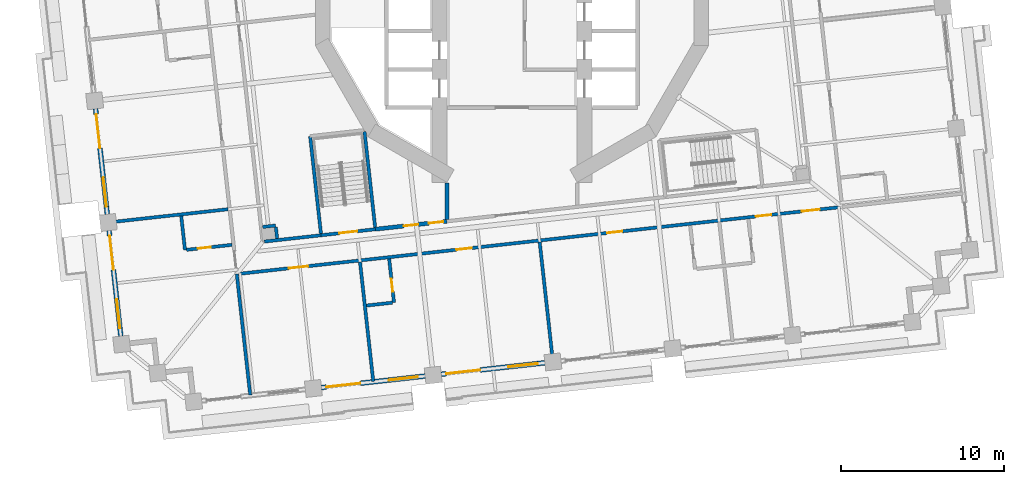
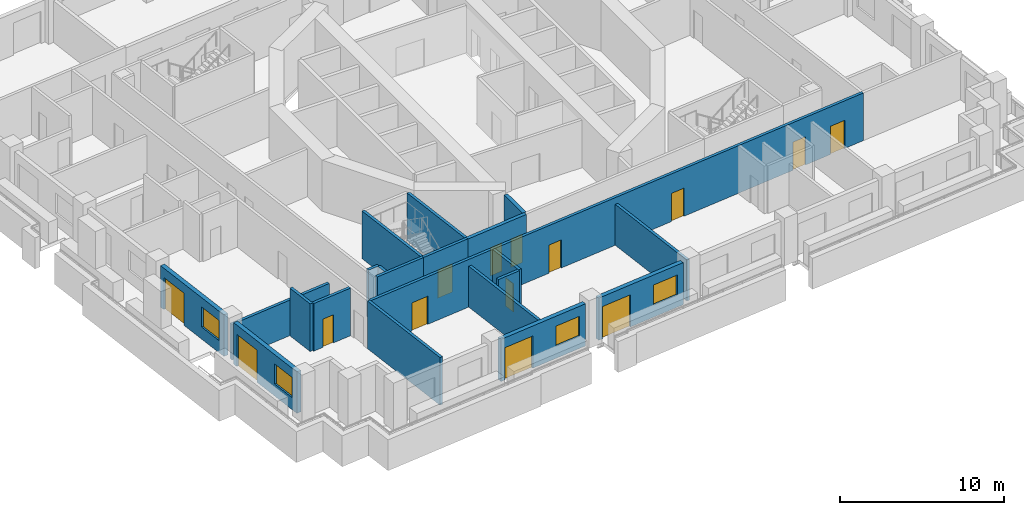
# One storey, part 4 of 19: 21 walls, 14 doors, 4 windows, 18 openings.
"""IFC4 building model written with IfcOpenShell, lengths in metres."""

from ifc_helpers import new_model, si_unit, direction, frame, frame_2d, origin, place, context, subcontext, project, spatial, rectangle, extrude, material, layer, layer_set, type_object, element, fill, save


model = new_model("IFC4")

# Units and contexts
model_context = context("Model", 3, precision=1e-05, world=origin(), true_north=direction((0.0, 1.0)))
body_context = subcontext(model_context, "Body", "Model", "MODEL_VIEW")
ifc_project = project(units=[si_unit("LENGTHUNIT", "METRE"), si_unit("AREAUNIT", "SQUARE_METRE"), si_unit("VOLUMEUNIT", "CUBIC_METRE"), si_unit("PLANEANGLEUNIT", "RADIAN"), si_unit("MASSUNIT", "GRAM", prefix="KILO")], contexts=[model_context])

# Site, building, storey
site_placement = place(None, origin())
site = spatial("IfcSite", under=ifc_project, at=site_placement, CompositionType="ELEMENT")
building_placement = place(site_placement, origin())
building = spatial("IfcBuilding", under=site, at=building_placement, Name="Cantera Rosa Tower", CompositionType="ELEMENT")
storey_placement = place(building_placement, frame((0.0, 0.0, 53.89990234375)))
storey = spatial("IfcBuildingStorey", under=building, at=storey_placement, Name="L10", CompositionType="ELEMENT", Elevation=53.89990234375)

# Wall, openings, doors
ifc_material_1 = material(Name="Gypsum board partition")
ifc_layer_1 = layer(ifc_material_1, 0.199951171875)
ifc_layer_set_1 = layer_set([ifc_layer_1], Name="CORRIDOR WALL 200 H3550")
wall_type_1 = type_object("IfcWallType", Name="CORRIDOR WALL 200 H3550", PredefinedType="PARTITIONING", material=ifc_layer_set_1)
wall_1_placement = place(storey_placement, frame((-16.798583984375, -17.25830078125, 0.0), z_axis=(0.0, 0.0, 1.0), x_axis=(0.993897376518, 0.110308680302, 0.0)))
wall_1 = element("IfcWall", 1, at=wall_1_placement, inside=storey, type_object=wall_type_1, Name="CORRIDOR WALL L10-020", PredefinedType="PARTITIONING", context=body_context, shape_type="SweptSolid", body=[
    extrude(rectangle(XDim=37.2998046875, YDim=0.199951171875, at=frame_2d((18.64990234375, 0.0))), origin(), (0.0, 0.0, 1.0), 3.550048828125),
])
opening_1_placement = place(wall_1_placement, frame((3.10009765625, 0.0, 0.0)))
opening_1 = element("IfcOpeningElement", 2, at=opening_1_placement, cuts=wall_1, Name="Opening L10-039", PredefinedType="OPENING", context=body_context, shape_type="SweptSolid", body=[
    extrude(rectangle(XDim=1.199951171875, YDim=2.10009765625, at=frame_2d((0.60009765625, 1.050048828125))), frame((0.0, 0.10986328125, 0.0), z_axis=(0.0, -1.0, 0.0), x_axis=(1.0, 0.0, 0.0)), (0.0, 0.0, 1.0), 0.219970703125),
])
opening_2_placement = place(wall_1_placement, frame((13.47509765625, 0.0, 0.0)))
opening_2 = element("IfcOpeningElement", 3, at=opening_2_placement, cuts=wall_1, Name="Opening L10-040", PredefinedType="OPENING", context=body_context, shape_type="SweptSolid", body=[
    extrude(rectangle(XDim=0.949951171875, YDim=2.10009765625, at=frame_2d((0.47509765625, 1.050048828125))), frame((0.0, 0.10986328125, 0.0), z_axis=(0.0, -1.0, 0.0), x_axis=(1.0, 0.0, 0.0)), (0.0, 0.0, 1.0), 0.219970703125),
])
opening_3_placement = place(wall_1_placement, frame((22.77490234375, 0.0, 0.0)))
opening_3 = element("IfcOpeningElement", 4, at=opening_3_placement, cuts=wall_1, Name="Opening L10-042", PredefinedType="OPENING", context=body_context, shape_type="SweptSolid", body=[
    extrude(rectangle(XDim=0.949951171875, YDim=2.10009765625, at=frame_2d((0.47509765625, 1.050048828125))), frame((0.0, 0.10986328125, 0.0), z_axis=(0.0, -1.0, 0.0), x_axis=(1.0, 0.0, 0.0)), (0.0, 0.0, 1.0), 0.219970703125),
])
opening_4_placement = place(wall_1_placement, frame((31.97509765625, 0.0, 0.0)))
opening_4 = element("IfcOpeningElement", 5, at=opening_4_placement, cuts=wall_1, Name="Opening L10-044", PredefinedType="OPENING", context=body_context, shape_type="SweptSolid", body=[
    extrude(rectangle(XDim=0.949951171875, YDim=2.10009765625, at=frame_2d((0.47509765625, 1.050048828125))), frame((0.0, 0.10986328125, 0.0), z_axis=(0.0, -1.0, 0.0), x_axis=(1.0, 0.0, 0.0)), (0.0, 0.0, 1.0), 0.219970703125),
])
opening_5_placement = place(wall_1_placement, frame((34.800048828125, 0.0, 0.0)))
opening_5 = element("IfcOpeningElement", 6, at=opening_5_placement, cuts=wall_1, Name="Opening L10-046", PredefinedType="OPENING", context=body_context, shape_type="SweptSolid", body=[
    extrude(rectangle(XDim=1.10009765625, YDim=2.10009765625, at=frame_2d((0.550048828125, 1.050048828125))), frame((0.0, 0.10986328125, 0.0), z_axis=(0.0, -1.0, 0.0), x_axis=(1.0, 0.0, 0.0)), (0.0, 0.0, 1.0), 0.219970703125),
])
ifc_material_2 = material(Name="Timber door leaf", Category="wood")
door_type_1 = type_object("IfcDoorType", Name="ROOM DOOR 1100x2100", OperationType="NOTDEFINED", PredefinedType="DOOR", material=ifc_material_2)
door_1_placement = place(opening_5_placement, origin())
door_1 = element("IfcDoor", 7, at=door_1_placement, inside=storey, type_object=door_type_1, Name="DOOR L10-046", OperationType="NOTDEFINED", OverallHeight=2.10009765625, OverallWidth=1.10009765625, PredefinedType="DOOR", context=body_context, shape_type="SweptSolid", body=[
    extrude(rectangle(XDim=1.10009765625, YDim=2.10009765625, at=frame_2d((0.550048828125, 1.050048828125))), frame((0.0, 0.02490234375, 0.0), z_axis=(0.0, -1.0, 0.0), x_axis=(1.0, 0.0, 0.0)), (0.0, 0.0, 1.0), 0.050048828125),
])
fill(opening_5, door_1)
ifc_material_3 = material(Name="Timber door leaf", Category="wood")
door_type_2 = type_object("IfcDoorType", Name="ROOM DOOR 1200x2100", OperationType="NOTDEFINED", PredefinedType="DOOR", material=ifc_material_3)
door_2_placement = place(opening_1_placement, origin())
door_2 = element("IfcDoor", 8, at=door_2_placement, inside=storey, type_object=door_type_2, Name="DOOR L10-039", OperationType="NOTDEFINED", OverallHeight=2.10009765625, OverallWidth=1.199951171875, PredefinedType="DOOR", context=body_context, shape_type="SweptSolid", body=[
    extrude(rectangle(XDim=1.199951171875, YDim=2.10009765625, at=frame_2d((0.60009765625, 1.050048828125))), frame((0.0, 0.02490234375, 0.0), z_axis=(0.0, -1.0, 0.0), x_axis=(1.0, 0.0, 0.0)), (0.0, 0.0, 1.0), 0.050048828125),
])
fill(opening_1, door_2)
ifc_material_4 = material(Name="Timber door leaf", Category="wood")
door_type_3 = type_object("IfcDoorType", Name="ROOM DOOR 950x2100", OperationType="NOTDEFINED", PredefinedType="DOOR", material=ifc_material_4)
door_3_placement = place(opening_2_placement, origin())
door_3 = element("IfcDoor", 9, at=door_3_placement, inside=storey, type_object=door_type_3, Name="DOOR L10-040", OperationType="NOTDEFINED", OverallHeight=2.10009765625, OverallWidth=0.949951171875, PredefinedType="DOOR", context=body_context, shape_type="SweptSolid", body=[
    extrude(rectangle(XDim=0.949951171875, YDim=2.10009765625, at=frame_2d((0.47509765625, 1.050048828125))), frame((0.0, 0.02490234375, 0.0), z_axis=(0.0, -1.0, 0.0), x_axis=(1.0, 0.0, 0.0)), (0.0, 0.0, 1.0), 0.050048828125),
])
fill(opening_2, door_3)
door_4_placement = place(opening_3_placement, origin())
door_4 = element("IfcDoor", 10, at=door_4_placement, inside=storey, type_object=door_type_3, Name="DOOR L10-042", OperationType="NOTDEFINED", OverallHeight=2.10009765625, OverallWidth=0.949951171875, PredefinedType="DOOR", context=body_context, shape_type="SweptSolid", body=[
    extrude(rectangle(XDim=0.949951171875, YDim=2.10009765625, at=frame_2d((0.47509765625, 1.050048828125))), frame((0.0, 0.02490234375, 0.0), z_axis=(0.0, -1.0, 0.0), x_axis=(1.0, 0.0, 0.0)), (0.0, 0.0, 1.0), 0.050048828125),
])
fill(opening_3, door_4)
door_5_placement = place(opening_4_placement, origin())
door_5 = element("IfcDoor", 11, at=door_5_placement, inside=storey, type_object=door_type_3, Name="DOOR L10-044", OperationType="NOTDEFINED", OverallHeight=2.10009765625, OverallWidth=0.949951171875, PredefinedType="DOOR", context=body_context, shape_type="SweptSolid", body=[
    extrude(rectangle(XDim=0.949951171875, YDim=2.10009765625, at=frame_2d((0.47509765625, 1.050048828125))), frame((0.0, 0.02490234375, 0.0), z_axis=(0.0, -1.0, 0.0), x_axis=(1.0, 0.0, 0.0)), (0.0, 0.0, 1.0), 0.050048828125),
])
fill(opening_4, door_5)

# Wall
wall_2_placement = place(storey_placement, frame((-15.208251953125, -15.27099609375, 0.0), z_axis=(0.0, 0.0, 1.0), x_axis=(0.993893064489, 0.110347525396, 0.0)))
element("IfcWall", 12, at=wall_2_placement, inside=storey, type_object=wall_type_1, Name="CORRIDOR WALL L10-025", PredefinedType="PARTITIONING", context=body_context, shape_type="SweptSolid", body=[
    extrude(rectangle(XDim=3.509033203125, YDim=0.199951171875, at=frame_2d((1.75439453125, 0.0))), origin(), (0.0, 0.0, 1.0), 3.550048828125),
])

# Wall, openings, window, door
ifc_material_5 = material(Name="Hollow clay masonry with cantera stone cladding", Category="masonry")
ifc_layer_2 = layer(ifc_material_5, 0.300048828125)
ifc_layer_set_2 = layer_set([ifc_layer_2], Name="EW-LOGGIA 300 H3090")
wall_type_2 = type_object("IfcWallType", Name="EW-LOGGIA 300 H3090", PredefinedType="SOLIDWALL", material=ifc_layer_set_2)
wall_3_placement = place(storey_placement, frame((-25.570068359375, -7.124267578125, 0.0), z_axis=(0.0, 0.0, 1.0), x_axis=(0.110312341265, -0.993896970196, 0.0)))
wall_3 = element("IfcWall", 13, at=wall_3_placement, inside=storey, type_object=wall_type_2, Name="EN-L10-W19", PredefinedType="SOLIDWALL", context=body_context, shape_type="SweptSolid", body=[
    extrude(rectangle(XDim=6.52001953125, YDim=0.300048828125, at=frame_2d((3.260009765625, 0.0))), origin(), (0.0, 0.0, 1.0), 3.090087890625),
])
opening_6_placement = place(wall_3_placement, frame((0.330078125, 0.0, 0.0)))
opening_6 = element("IfcOpeningElement", 14, at=opening_6_placement, cuts=wall_3, Name="Opening L10-TD25", PredefinedType="OPENING", context=body_context, shape_type="SweptSolid", body=[
    extrude(rectangle(XDim=2.10009765625, YDim=2.39990234375, at=frame_2d((1.050048828125, 1.199951171875))), frame((0.0, 0.159912109375, 0.0), z_axis=(0.0, -1.0, 0.0), x_axis=(1.0, 0.0, 0.0)), (0.0, 0.0, 1.0), 0.320068359375),
])
opening_7_placement = place(wall_3_placement, frame((4.239990234375, 0.0, 0.89990234375)))
opening_7 = element("IfcOpeningElement", 15, at=opening_7_placement, cuts=wall_3, Name="Opening L10-W26", PredefinedType="OPENING", context=body_context, shape_type="SweptSolid", body=[
    extrude(rectangle(XDim=1.800048828125, YDim=1.5, at=frame_2d((0.89990234375, 0.75))), frame((0.0, 0.159912109375, 0.0), z_axis=(0.0, -1.0, 0.0), x_axis=(1.0, 0.0, 0.0)), (0.0, 0.0, 1.0), 0.320068359375),
])
ifc_material_6 = material(Name="Aluminium frame with clear glass", Category="aluminium")
window_type = type_object("IfcWindowType", Name="Hotel room window 1800x1500", PartitioningType="DOUBLE_PANEL_VERTICAL", PredefinedType="WINDOW", material=ifc_material_6)
window_1_placement = place(opening_7_placement, origin())
window_1 = element("IfcWindow", 16, at=window_1_placement, inside=storey, type_object=window_type, Name="WINDOW L10-W26", OverallHeight=1.5, OverallWidth=1.800048828125, PartitioningType="SINGLE_PANEL", PredefinedType="WINDOW", context=body_context, shape_type="SweptSolid", body=[
    extrude(rectangle(XDim=1.800048828125, YDim=1.5, at=frame_2d((0.89990234375, 0.75))), frame((0.0, 0.030029296875, 0.0), z_axis=(0.0, -1.0, 0.0), x_axis=(1.0, 0.0, 0.0)), (0.0, 0.0, 1.0), 0.06005859375),
])
fill(opening_7, window_1)
ifc_material_7 = material(Name="Aluminium frame with clear glass", Category="aluminium")
door_type_4 = type_object("IfcDoorType", Name="TD-H 2100x2400", OperationType="NOTDEFINED", PredefinedType="DOOR", material=ifc_material_7)
door_6_placement = place(opening_6_placement, origin())
door_6 = element("IfcDoor", 17, at=door_6_placement, inside=storey, type_object=door_type_4, Name="LOGGIA DOOR L10-TD25", OperationType="SLIDING_TO_LEFT", OverallHeight=2.39990234375, OverallWidth=2.10009765625, PredefinedType="DOOR", context=body_context, shape_type="SweptSolid", body=[
    extrude(rectangle(XDim=2.10009765625, YDim=2.39990234375, at=frame_2d((1.050048828125, 1.199951171875))), frame((0.0, 0.02490234375, 0.0), z_axis=(0.0, -1.0, 0.0), x_axis=(1.0, 0.0, 0.0)), (0.0, 0.0, 1.0), 0.050048828125),
])
fill(opening_6, door_6)

wall_4_placement = place(storey_placement, frame((-24.74072265625, -14.598388671875, 0.0), z_axis=(0.0, 0.0, 1.0), x_axis=(0.110312341265, -0.993896970196, 0.0)))
wall_4 = element("IfcWall", 18, at=wall_4_placement, inside=storey, type_object=wall_type_2, Name="EN-L10-W20", PredefinedType="SOLIDWALL", context=body_context, shape_type="SweptSolid", body=[
    extrude(rectangle(XDim=6.52001953125, YDim=0.300048828125, at=frame_2d((3.260009765625, 0.0))), origin(), (0.0, 0.0, 1.0), 3.090087890625),
])
opening_8_placement = place(wall_4_placement, frame((0.330078125, 0.0, 0.0)))
opening_8 = element("IfcOpeningElement", 19, at=opening_8_placement, cuts=wall_4, Name="Opening L10-TD27", PredefinedType="OPENING", context=body_context, shape_type="SweptSolid", body=[
    extrude(rectangle(XDim=2.10009765625, YDim=2.39990234375, at=frame_2d((1.050048828125, 1.199951171875))), frame((0.0, 0.159912109375, 0.0), z_axis=(0.0, -1.0, 0.0), x_axis=(1.0, 0.0, 0.0)), (0.0, 0.0, 1.0), 0.320068359375),
])
opening_9_placement = place(wall_4_placement, frame((4.239990234375, 0.0, 0.89990234375)))
opening_9 = element("IfcOpeningElement", 20, at=opening_9_placement, cuts=wall_4, Name="Opening L10-W28", PredefinedType="OPENING", context=body_context, shape_type="SweptSolid", body=[
    extrude(rectangle(XDim=1.800048828125, YDim=1.5, at=frame_2d((0.89990234375, 0.75))), frame((0.0, 0.159912109375, 0.0), z_axis=(0.0, -1.0, 0.0), x_axis=(1.0, 0.0, 0.0)), (0.0, 0.0, 1.0), 0.320068359375),
])
window_2_placement = place(opening_9_placement, origin())
window_2 = element("IfcWindow", 21, at=window_2_placement, inside=storey, type_object=window_type, Name="WINDOW L10-W28", OverallHeight=1.5, OverallWidth=1.800048828125, PartitioningType="SINGLE_PANEL", PredefinedType="WINDOW", context=body_context, shape_type="SweptSolid", body=[
    extrude(rectangle(XDim=1.800048828125, YDim=1.5, at=frame_2d((0.89990234375, 0.75))), frame((0.0, 0.030029296875, 0.0), z_axis=(0.0, -1.0, 0.0), x_axis=(1.0, 0.0, 0.0)), (0.0, 0.0, 1.0), 0.06005859375),
])
fill(opening_9, window_2)
door_7_placement = place(opening_8_placement, origin())
door_7 = element("IfcDoor", 22, at=door_7_placement, inside=storey, type_object=door_type_4, Name="LOGGIA DOOR L10-TD27", OperationType="SLIDING_TO_LEFT", OverallHeight=2.39990234375, OverallWidth=2.10009765625, PredefinedType="DOOR", context=body_context, shape_type="SweptSolid", body=[
    extrude(rectangle(XDim=2.10009765625, YDim=2.39990234375, at=frame_2d((1.050048828125, 1.199951171875))), frame((0.0, 0.02490234375, 0.0), z_axis=(0.0, -1.0, 0.0), x_axis=(1.0, 0.0, 0.0)), (0.0, 0.0, 1.0), 0.050048828125),
])
fill(opening_8, door_7)

ifc_material_8 = material(Name="Hollow clay masonry with cantera stone cladding", Category="masonry")
ifc_layer_3 = layer(ifc_material_8, 0.300048828125)
ifc_layer_set_3 = layer_set([ifc_layer_3], Name="EW-LOGGIA 300 H3140")
wall_type_3 = type_object("IfcWallType", Name="EW-LOGGIA 300 H3140", PredefinedType="SOLIDWALL", material=ifc_layer_set_3)
wall_5_placement = place(storey_placement, frame((-11.697509765625, -24.23828125, 0.0), z_axis=(0.0, 0.0, 1.0), x_axis=(0.993895824271, 0.110322665379, 0.0)))
wall_5 = element("IfcWall", 23, at=wall_5_placement, inside=storey, type_object=wall_type_3, Name="EN-L10-W24", PredefinedType="SOLIDWALL", context=body_context, shape_type="SweptSolid", body=[
    extrude(rectangle(XDim=6.39990234375, YDim=0.300048828125, at=frame_2d((3.199951171875, 0.0))), origin(), (0.0, 0.0, 1.0), 3.14013671875),
])
opening_10_placement = place(wall_5_placement, frame((0.300048828125, 0.0, 0.0)))
opening_10 = element("IfcOpeningElement", 24, at=opening_10_placement, cuts=wall_5, Name="Opening L10-TD31", PredefinedType="OPENING", context=body_context, shape_type="SweptSolid", body=[
    extrude(rectangle(XDim=2.10009765625, YDim=2.39990234375, at=frame_2d((1.050048828125, 1.199951171875))), frame((0.0, 0.159912109375, 0.0), z_axis=(0.0, -1.0, 0.0), x_axis=(1.0, 0.0, 0.0)), (0.0, 0.0, 1.0), 0.320068359375),
])
opening_11_placement = place(wall_5_placement, frame((4.14990234375, 0.0, 0.89990234375)))
opening_11 = element("IfcOpeningElement", 25, at=opening_11_placement, cuts=wall_5, Name="Opening L10-W32", PredefinedType="OPENING", context=body_context, shape_type="SweptSolid", body=[
    extrude(rectangle(XDim=1.800048828125, YDim=1.5, at=frame_2d((0.89990234375, 0.75))), frame((0.0, 0.159912109375, 0.0), z_axis=(0.0, -1.0, 0.0), x_axis=(1.0, 0.0, 0.0)), (0.0, 0.0, 1.0), 0.320068359375),
])
window_3_placement = place(opening_11_placement, origin())
window_3 = element("IfcWindow", 26, at=window_3_placement, inside=storey, type_object=window_type, Name="WINDOW L10-W32", OverallHeight=1.5, OverallWidth=1.800048828125, PartitioningType="SINGLE_PANEL", PredefinedType="WINDOW", context=body_context, shape_type="SweptSolid", body=[
    extrude(rectangle(XDim=1.800048828125, YDim=1.5, at=frame_2d((0.89990234375, 0.75))), frame((0.0, 0.030029296875, 0.0), z_axis=(0.0, -1.0, 0.0), x_axis=(1.0, 0.0, 0.0)), (0.0, 0.0, 1.0), 0.06005859375),
])
fill(opening_11, window_3)
door_8_placement = place(opening_10_placement, origin())
door_8 = element("IfcDoor", 27, at=door_8_placement, inside=storey, type_object=door_type_4, Name="LOGGIA DOOR L10-TD31", OperationType="SLIDING_TO_LEFT", OverallHeight=2.39990234375, OverallWidth=2.10009765625, PredefinedType="DOOR", context=body_context, shape_type="SweptSolid", body=[
    extrude(rectangle(XDim=2.10009765625, YDim=2.39990234375, at=frame_2d((1.050048828125, 1.199951171875))), frame((0.0, 0.02490234375, 0.0), z_axis=(0.0, -1.0, 0.0), x_axis=(1.0, 0.0, 0.0)), (0.0, 0.0, 1.0), 0.050048828125),
])
fill(opening_10, door_8)

wall_6_placement = place(storey_placement, frame((-4.3427734375, -23.422119140625, 0.0), z_axis=(0.0, 0.0, 1.0), x_axis=(0.993895824271, 0.110322665379, 0.0)))
wall_6 = element("IfcWall", 28, at=wall_6_placement, inside=storey, type_object=wall_type_3, Name="EN-L10-W25", PredefinedType="SOLIDWALL", context=body_context, shape_type="SweptSolid", body=[
    extrude(rectangle(XDim=6.39990234375, YDim=0.300048828125, at=frame_2d((3.199951171875, 0.0))), origin(), (0.0, 0.0, 1.0), 3.14013671875),
])
opening_12_placement = place(wall_6_placement, frame((0.300048828125, 0.0, 0.0)))
opening_12 = element("IfcOpeningElement", 29, at=opening_12_placement, cuts=wall_6, Name="Opening L10-TD33", PredefinedType="OPENING", context=body_context, shape_type="SweptSolid", body=[
    extrude(rectangle(XDim=2.10009765625, YDim=2.39990234375, at=frame_2d((1.050048828125, 1.199951171875))), frame((0.0, 0.159912109375, 0.0), z_axis=(0.0, -1.0, 0.0), x_axis=(1.0, 0.0, 0.0)), (0.0, 0.0, 1.0), 0.320068359375),
])
opening_13_placement = place(wall_6_placement, frame((4.14990234375, 0.0, 0.89990234375)))
opening_13 = element("IfcOpeningElement", 30, at=opening_13_placement, cuts=wall_6, Name="Opening L10-W34", PredefinedType="OPENING", context=body_context, shape_type="SweptSolid", body=[
    extrude(rectangle(XDim=1.800048828125, YDim=1.5, at=frame_2d((0.89990234375, 0.75))), frame((0.0, 0.159912109375, 0.0), z_axis=(0.0, -1.0, 0.0), x_axis=(1.0, 0.0, 0.0)), (0.0, 0.0, 1.0), 0.320068359375),
])
window_4_placement = place(opening_13_placement, origin())
window_4 = element("IfcWindow", 31, at=window_4_placement, inside=storey, type_object=window_type, Name="WINDOW L10-W34", OverallHeight=1.5, OverallWidth=1.800048828125, PartitioningType="SINGLE_PANEL", PredefinedType="WINDOW", context=body_context, shape_type="SweptSolid", body=[
    extrude(rectangle(XDim=1.800048828125, YDim=1.5, at=frame_2d((0.89990234375, 0.75))), frame((0.0, 0.030029296875, 0.0), z_axis=(0.0, -1.0, 0.0), x_axis=(1.0, 0.0, 0.0)), (0.0, 0.0, 1.0), 0.06005859375),
])
fill(opening_13, window_4)
door_9_placement = place(opening_12_placement, origin())
door_9 = element("IfcDoor", 32, at=door_9_placement, inside=storey, type_object=door_type_4, Name="LOGGIA DOOR L10-TD33", OperationType="SLIDING_TO_LEFT", OverallHeight=2.39990234375, OverallWidth=2.10009765625, PredefinedType="DOOR", context=body_context, shape_type="SweptSolid", body=[
    extrude(rectangle(XDim=2.10009765625, YDim=2.39990234375, at=frame_2d((1.050048828125, 1.199951171875))), frame((0.0, 0.02490234375, 0.0), z_axis=(0.0, -1.0, 0.0), x_axis=(1.0, 0.0, 0.0)), (0.0, 0.0, 1.0), 0.050048828125),
])
fill(opening_12, door_9)

# Wall
ifc_material_9 = material(Name="Gypsum board partition")
ifc_layer_4 = layer(ifc_material_9, 0.199951171875)
ifc_layer_set_4 = layer_set([ifc_layer_4], Name="PARTITION 200 H3550")
wall_type_4 = type_object("IfcWallType", Name="PARTITION 200 H3550", PredefinedType="PARTITIONING", material=ifc_layer_set_4)
wall_7_placement = place(storey_placement, frame((-20.08056640625, -15.79150390625, 0.0), z_axis=(0.0, 0.0, 1.0), x_axis=(-0.11032944474, 0.993895071737, 0.0)))
element("IfcWall", 33, at=wall_7_placement, inside=storey, type_object=wall_type_4, Name="PARTITION L10-009", PredefinedType="PARTITIONING", context=body_context, shape_type="SweptSolid", body=[
    extrude(rectangle(XDim=2.10009765625, YDim=0.199951171875, at=frame_2d((1.050048828125, 0.0))), origin(), (0.0, 0.0, 1.0), 3.550048828125),
])

# Wall, opening, door
wall_8_placement = place(storey_placement, frame((-17.1982421875, -15.4716796875, 0.0), z_axis=(0.0, 0.0, 1.0), x_axis=(-0.993898612038, -0.110297547524, 0.0)))
wall_8 = element("IfcWall", 34, at=wall_8_placement, inside=storey, type_object=wall_type_4, Name="PARTITION L10-019", PredefinedType="PARTITIONING", context=body_context, shape_type="SweptSolid", body=[
    extrude(rectangle(XDim=2.800048828125, YDim=0.199951171875, at=frame_2d((1.39990234375, 0.0))), origin(), (0.0, 0.0, 1.0), 3.550048828125),
])
opening_14_placement = place(wall_8_placement, frame((1.300048828125, 0.0, 0.0)))
opening_14 = element("IfcOpeningElement", 35, at=opening_14_placement, cuts=wall_8, Name="Opening L10-038", PredefinedType="OPENING", context=body_context, shape_type="SweptSolid", body=[
    extrude(rectangle(XDim=0.800048828125, YDim=2.10009765625, at=frame_2d((0.39990234375, 1.050048828125))), frame((0.0, 0.10986328125, 0.0), z_axis=(0.0, -1.0, 0.0), x_axis=(1.0, 0.0, 0.0)), (0.0, 0.0, 1.0), 0.219970703125),
])
ifc_material_10 = material(Name="Timber door leaf", Category="wood")
door_type_5 = type_object("IfcDoorType", Name="BATHROOM DOOR 800x2100", OperationType="NOTDEFINED", PredefinedType="DOOR", material=ifc_material_10)
door_10_placement = place(opening_14_placement, origin())
door_10 = element("IfcDoor", 36, at=door_10_placement, inside=storey, type_object=door_type_5, Name="DOOR L10-038", OperationType="NOTDEFINED", OverallHeight=2.10009765625, OverallWidth=0.800048828125, PredefinedType="DOOR", context=body_context, shape_type="SweptSolid", body=[
    extrude(rectangle(XDim=0.800048828125, YDim=2.10009765625, at=frame_2d((0.39990234375, 1.050048828125))), frame((0.0, 0.02490234375, 0.0), z_axis=(0.0, -1.0, 0.0), x_axis=(1.0, 0.0, 0.0)), (0.0, 0.0, 1.0), 0.050048828125),
])
fill(opening_14, door_10)

# Walls
wall_9_placement = place(storey_placement, frame((-14.512451171875, -14.2880859375, 0.0), z_axis=(0.0, 0.0, 1.0), x_axis=(-0.993880012744, -0.110465018303, 0.0)))
element("IfcWall", 37, at=wall_9_placement, inside=storey, type_object=wall_type_4, Name="PARTITION L10-026", PredefinedType="PARTITIONING", context=body_context, shape_type="SweptSolid", body=[
    extrude(rectangle(XDim=0.800048828125, YDim=0.199951171875, at=frame_2d((0.39990234375, 0.0))), origin(), (0.0, 0.0, 1.0), 3.550048828125),
])
wall_10_placement = place(storey_placement, frame((-14.42431640625, -15.083251953125, 0.0), z_axis=(0.0, 0.0, 1.0), x_axis=(-0.110201865026, 0.993909225707, 0.0)))
element("IfcWall", 38, at=wall_10_placement, inside=storey, type_object=wall_type_4, Name="PARTITION L10-027", PredefinedType="PARTITIONING", context=body_context, shape_type="SweptSolid", body=[
    extrude(rectangle(XDim=0.699951171875, YDim=0.199951171875, at=frame_2d((0.35009765625, 0.0))), origin(), (0.0, 0.0, 1.0), 3.550048828125),
])

# Wall, opening, door
wall_11_placement = place(storey_placement, frame((-7.54443359375, -16.331787109375, 0.0), z_axis=(0.0, 0.0, 1.0), x_axis=(0.110312435488, -0.993896959738, 0.0)))
wall_11 = element("IfcWall", 39, at=wall_11_placement, inside=storey, type_object=wall_type_4, Name="PARTITION L10-046", PredefinedType="PARTITIONING", context=body_context, shape_type="SweptSolid", body=[
    extrude(rectangle(XDim=2.699951171875, YDim=0.199951171875, at=frame_2d((1.35009765625, 0.0))), origin(), (0.0, 0.0, 1.0), 3.550048828125),
])
opening_15_placement = place(wall_11_placement, frame((1.236083984375, 0.0, 0.0)))
opening_15 = element("IfcOpeningElement", 40, at=opening_15_placement, cuts=wall_11, Name="Opening L10-041", PredefinedType="OPENING", context=body_context, shape_type="SweptSolid", body=[
    extrude(rectangle(XDim=0.800048828125, YDim=2.10009765625, at=frame_2d((0.39990234375, 1.050048828125))), frame((0.0, 0.10986328125, 0.0), z_axis=(0.0, -1.0, 0.0), x_axis=(1.0, 0.0, 0.0)), (0.0, 0.0, 1.0), 0.219970703125),
])
door_11_placement = place(opening_15_placement, origin())
door_11 = element("IfcDoor", 41, at=door_11_placement, inside=storey, type_object=door_type_5, Name="DOOR L10-041", OperationType="NOTDEFINED", OverallHeight=2.10009765625, OverallWidth=0.800048828125, PredefinedType="DOOR", context=body_context, shape_type="SweptSolid", body=[
    extrude(rectangle(XDim=0.800048828125, YDim=2.10009765625, at=frame_2d((0.39990234375, 1.050048828125))), frame((0.0, 0.02490234375, 0.0), z_axis=(0.0, -1.0, 0.0), x_axis=(1.0, 0.0, 0.0)), (0.0, 0.0, 1.0), 0.050048828125),
])
fill(opening_15, door_11)

# Walls
wall_12_placement = place(storey_placement, frame((-7.345947265625, -19.026611328125, 0.0), z_axis=(0.0, 0.0, 1.0), x_axis=(-0.993913470482, -0.110163574714, 0.0)))
element("IfcWall", 42, at=wall_12_placement, inside=storey, type_object=wall_type_4, Name="PARTITION L10-047", PredefinedType="PARTITIONING", context=body_context, shape_type="SweptSolid", body=[
    extrude(rectangle(XDim=1.60009765625, YDim=0.199951171875, at=frame_2d((0.800048828125, 0.0))), origin(), (0.0, 0.0, 1.0), 3.550048828125),
])
ifc_material_11 = material(Name="Gypsum board partition")
ifc_layer_5 = layer(ifc_material_11, 0.199951171875)
ifc_layer_set_5 = layer_set([ifc_layer_5], Name="PARTY WALL 200 H2650")
wall_type_5 = type_object("IfcWallType", Name="PARTY WALL 200 H2650", PredefinedType="PARTITIONING", material=ifc_layer_set_5)
wall_13_placement = place(storey_placement, frame((-17.44091796875, -13.284912109375, 0.0), z_axis=(0.0, 0.0, 1.0), x_axis=(-0.993897461949, -0.110307910555, 0.0)))
element("IfcWall", 43, at=wall_13_placement, inside=storey, type_object=wall_type_5, Name="PARTY WALL L10-016", PredefinedType="PARTITIONING", context=body_context, shape_type="SweptSolid", body=[
    extrude(rectangle(XDim=7.3701171875, YDim=0.199951171875, at=frame_2d((3.68505859375, 0.0))), origin(), (0.0, 0.0, 1.0), 2.650146484375),
])
ifc_material_12 = material(Name="Gypsum board partition")
ifc_layer_6 = layer(ifc_material_12, 0.199951171875)
ifc_layer_set_6 = layer_set([ifc_layer_6], Name="PARTY WALL 200 H3050")
wall_type_6 = type_object("IfcWallType", Name="PARTY WALL 200 H3050", PredefinedType="PARTITIONING", material=ifc_layer_set_6)
wall_14_placement = place(storey_placement, frame((-9.33349609375, -16.530517578125, 0.0), z_axis=(0.0, 0.0, 1.0), x_axis=(0.11031154238, -0.993897058864, 0.0)))
element("IfcWall", 44, at=wall_14_placement, inside=storey, type_object=wall_type_6, Name="PARTY WALL L10-035", PredefinedType="PARTITIONING", context=body_context, shape_type="SweptSolid", body=[
    extrude(rectangle(XDim=7.369873046875, YDim=0.199951171875, at=frame_2d((3.68505859375, 0.0))), origin(), (0.0, 0.0, 1.0), 3.050048828125),
])
wall_15_placement = place(storey_placement, frame((1.69873046875, -15.305908203125, 0.0), z_axis=(0.0, 0.0, 1.0), x_axis=(0.110307910555, -0.993897461949, 0.0)))
element("IfcWall", 45, at=wall_15_placement, inside=storey, type_object=wall_type_6, Name="PARTY WALL L10-056", PredefinedType="PARTITIONING", context=body_context, shape_type="SweptSolid", body=[
    extrude(rectangle(XDim=7.3701171875, YDim=0.199951171875, at=frame_2d((3.68505859375, 0.0))), origin(), (0.0, 0.0, 1.0), 3.050048828125),
])
ifc_material_13 = material(Name="Gypsum board partition")
ifc_layer_7 = layer(ifc_material_13, 0.199951171875)
ifc_layer_set_7 = layer_set([ifc_layer_7], Name="PARTY WALL 200 H3550")
wall_type_7 = type_object("IfcWallType", Name="PARTY WALL 200 H3550", PredefinedType="PARTITIONING", material=ifc_layer_set_7)
wall_16_placement = place(storey_placement, frame((-16.07421875, -24.69384765625, 0.0), z_axis=(0.0, 0.0, 1.0), x_axis=(-0.110305973679, 0.993897676912, 0.0)))
element("IfcWall", 46, at=wall_16_placement, inside=storey, type_object=wall_type_7, Name="PARTY WALL L10-023", PredefinedType="PARTITIONING", context=body_context, shape_type="SweptSolid", body=[
    extrude(rectangle(XDim=7.469970703125, YDim=0.199951171875, at=frame_2d((3.73486328125, 0.0))), origin(), (0.0, 0.0, 1.0), 3.550048828125),
])

# Wall, openings, doors
ifc_material_14 = material(Name="Masonry blockwork", Category="masonry")
ifc_layer_8 = layer(ifc_material_14, 0.25)
ifc_layer_set_8 = layer_set([ifc_layer_8], Name="SHAFT WALL 250 H3550")
wall_type_8 = type_object("IfcWallType", Name="SHAFT WALL 250 H3550", PredefinedType="SOLIDWALL", material=ifc_layer_set_8)
wall_17_placement = place(storey_placement, frame((-8.391357421875, -14.51416015625, 0.0), z_axis=(0.0, 0.0, 1.0), x_axis=(0.993899223668, 0.110292035939, 0.0)))
wall_17 = element("IfcWall", 47, at=wall_17_placement, inside=storey, type_object=wall_type_8, Name="SHAFT WALL L10-038", PredefinedType="SOLIDWALL", context=body_context, shape_type="SweptSolid", body=[
    extrude(rectangle(XDim=4.418212890625, YDim=0.25, at=frame_2d((2.208984375, 0.0))), origin(), (0.0, 0.0, 1.0), 3.550048828125),
])
opening_16_placement = place(wall_17_placement, frame((3.305419921875, 0.0, 0.0)))
opening_16 = element("IfcOpeningElement", 48, at=opening_16_placement, cuts=wall_17, Name="Opening L10-010", PredefinedType="OPENING", context=body_context, shape_type="SweptSolid", body=[
    extrude(rectangle(XDim=0.89990234375, YDim=2.10009765625, at=frame_2d((0.449951171875, 1.050048828125))), frame((0.0, 0.135009765625, 0.0), z_axis=(0.0, -1.0, 0.0), x_axis=(1.0, 0.0, 0.0)), (0.0, 0.0, 1.0), 0.27001953125),
])
opening_17_placement = place(wall_17_placement, frame((1.759033203125, 0.0, 0.0)))
opening_17 = element("IfcOpeningElement", 49, at=opening_17_placement, cuts=wall_17, Name="Opening L10-048", PredefinedType="OPENING", context=body_context, shape_type="SweptSolid", body=[
    extrude(rectangle(XDim=0.89990234375, YDim=2.10009765625, at=frame_2d((0.449951171875, 1.050048828125))), frame((0.0, 0.135009765625, 0.0), z_axis=(0.0, -1.0, 0.0), x_axis=(1.0, 0.0, 0.0)), (0.0, 0.0, 1.0), 0.27001953125),
])
ifc_material_15 = material(Name="Timber door leaf", Category="wood")
door_type_6 = type_object("IfcDoorType", Name="SERVICE DOOR 900x2100", OperationType="NOTDEFINED", PredefinedType="DOOR", material=ifc_material_15)
door_12_placement = place(opening_16_placement, origin())
door_12 = element("IfcDoor", 50, at=door_12_placement, inside=storey, type_object=door_type_6, Name="RISER DOOR L10-010", OperationType="NOTDEFINED", OverallHeight=2.10009765625, OverallWidth=0.89990234375, PredefinedType="DOOR", context=body_context, shape_type="SweptSolid", body=[
    extrude(rectangle(XDim=0.89990234375, YDim=2.10009765625, at=frame_2d((0.449951171875, 1.050048828125))), frame((0.0, 0.02490234375, 0.0), z_axis=(0.0, -1.0, 0.0), x_axis=(1.0, 0.0, 0.0)), (0.0, 0.0, 1.0), 0.050048828125),
])
fill(opening_16, door_12)
door_13_placement = place(opening_17_placement, origin())
door_13 = element("IfcDoor", 51, at=door_13_placement, inside=storey, type_object=door_type_6, Name="RISER DOOR L10-048", OperationType="NOTDEFINED", OverallHeight=2.10009765625, OverallWidth=0.89990234375, PredefinedType="DOOR", context=body_context, shape_type="SweptSolid", body=[
    extrude(rectangle(XDim=0.89990234375, YDim=2.10009765625, at=frame_2d((0.449951171875, 1.050048828125))), frame((0.0, 0.02490234375, 0.0), z_axis=(0.0, -1.0, 0.0), x_axis=(1.0, 0.0, 0.0)), (0.0, 0.0, 1.0), 0.050048828125),
])
fill(opening_17, door_13)

# Walls
wall_18_placement = place(storey_placement, frame((-4.0, -11.667236328125, 0.0), z_axis=(0.0, 0.0, 1.0), x_axis=(0.0, -1.0, 0.0)))
element("IfcWall", 52, at=wall_18_placement, inside=storey, type_object=wall_type_8, Name="SHAFT WALL L10-050", PredefinedType="SOLIDWALL", context=body_context, shape_type="SweptSolid", body=[
    extrude(rectangle(XDim=2.23974609375, YDim=0.25, at=frame_2d((1.119873046875, 0.0))), origin(), (0.0, 0.0, 1.0), 3.550048828125),
])
ifc_material_16 = material(Name="Concrete C50/60", Category="concrete")
ifc_layer_9 = layer(ifc_material_16, 0.199951171875)
ifc_layer_set_9 = layer_set([ifc_layer_9], Name="STAIR WALL 200 H3550")
wall_type_9 = type_object("IfcWallType", Name="STAIR WALL 200 H3550", PredefinedType="SOLIDWALL", material=ifc_layer_set_9)
wall_19_placement = place(storey_placement, frame((-12.395751953125, -8.802978515625, 0.0), z_axis=(0.0, 0.0, 1.0), x_axis=(0.110335171461, -0.993894436014, 0.0)))
element("IfcWall", 53, at=wall_19_placement, inside=storey, type_object=wall_type_9, Name="STAIR WALL L10-028", PredefinedType="SOLIDWALL", context=body_context, shape_type="SweptSolid", body=[
    extrude(rectangle(XDim=6.1181640625, YDim=0.199951171875, at=frame_2d((3.05908203125, 0.0))), origin(), (0.0, 0.0, 1.0), 3.550048828125),
])

# Wall, opening, door
wall_20_placement = place(storey_placement, frame((-11.720703125, -14.8837890625, 0.0), z_axis=(0.0, 0.0, 1.0), x_axis=(0.993893507649, 0.110343533811, 0.0)))
wall_20 = element("IfcWall", 54, at=wall_20_placement, inside=storey, type_object=wall_type_9, Name="STAIR WALL L10-030", PredefinedType="SOLIDWALL", context=body_context, shape_type="SweptSolid", body=[
    extrude(rectangle(XDim=3.349853515625, YDim=0.199951171875, at=frame_2d((1.6748046875, 0.0))), origin(), (0.0, 0.0, 1.0), 3.550048828125),
])
opening_18_placement = place(wall_20_placement, frame((1.125, 0.0, 0.0)))
opening_18 = element("IfcOpeningElement", 55, at=opening_18_placement, cuts=wall_20, Name="Opening L10-003", PredefinedType="OPENING", context=body_context, shape_type="SweptSolid", body=[
    extrude(rectangle(XDim=1.10009765625, YDim=2.10009765625, at=frame_2d((0.550048828125, 1.050048828125))), frame((0.0, 0.10986328125, 0.0), z_axis=(0.0, -1.0, 0.0), x_axis=(1.0, 0.0, 0.0)), (0.0, 0.0, 1.0), 0.219970703125),
])
ifc_material_17 = material(Name="Steel S355J2 (EN 10025-2)", Category="steel")
door_type_7 = type_object("IfcDoorType", Name="STAIR DOOR 1100x2100", OperationType="NOTDEFINED", PredefinedType="DOOR", material=ifc_material_17)
door_14_placement = place(opening_18_placement, origin())
door_14 = element("IfcDoor", 56, at=door_14_placement, inside=storey, type_object=door_type_7, Name="DOOR L10-003", OperationType="NOTDEFINED", OverallHeight=2.10009765625, OverallWidth=1.10009765625, PredefinedType="DOOR", context=body_context, shape_type="SweptSolid", body=[
    extrude(rectangle(XDim=1.10009765625, YDim=2.10009765625, at=frame_2d((0.550048828125, 1.050048828125))), frame((0.0, 0.02490234375, 0.0), z_axis=(0.0, -1.0, 0.0), x_axis=(1.0, 0.0, 0.0)), (0.0, 0.0, 1.0), 0.050048828125),
])
fill(opening_18, door_14)

# Wall
wall_21_placement = place(storey_placement, frame((-8.391357421875, -14.51416015625, 0.0), z_axis=(0.0, 0.0, 1.0), x_axis=(-0.11031151838, 0.993897061527, 0.0)))
element("IfcWall", 57, at=wall_21_placement, inside=storey, type_object=wall_type_9, Name="STAIR WALL L10-037", PredefinedType="SOLIDWALL", context=body_context, shape_type="SweptSolid", body=[
    extrude(rectangle(XDim=6.02880859375, YDim=0.199951171875, at=frame_2d((3.014404296875, 0.0))), origin(), (0.0, 0.0, 1.0), 3.550048828125),
])

save(model, "model.ifc")
